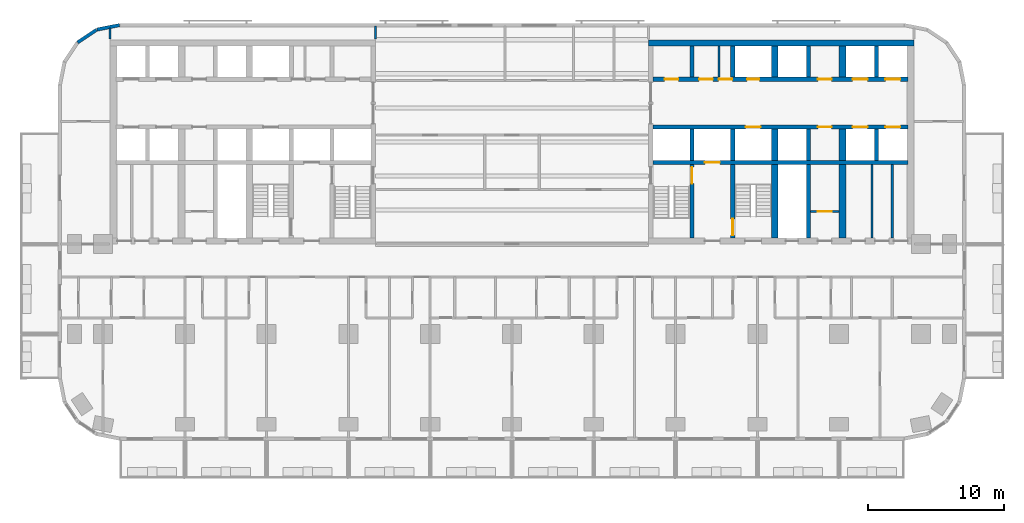
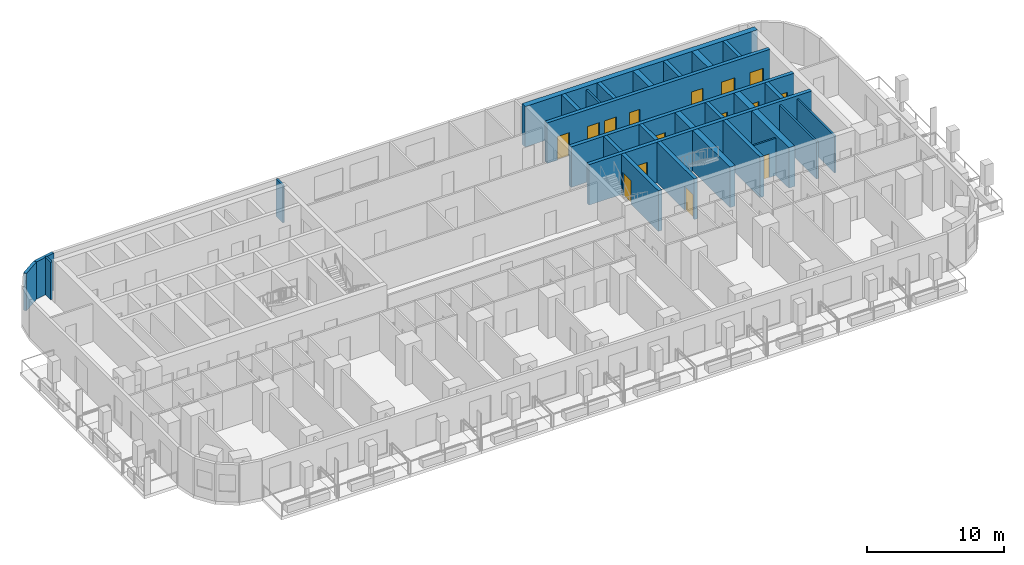
# One storey, part 8 of 15: 29 walls, 15 doors, 15 openings.
"""IFC4 building model written with IfcOpenShell, lengths in metres."""

from ifc_helpers import new_model, si_unit, direction, frame, frame_2d, origin, place, context, subcontext, project, spatial, rectangle, extrude, material, layer, layer_set, type_object, element, fill, save


model = new_model("IFC4")

# Units and contexts
model_context = context("Model", 3, precision=1e-05, world=origin(), true_north=direction((0.0, 1.0)))
body_context = subcontext(model_context, "Body", "Model", "MODEL_VIEW")
ifc_project = project(units=[si_unit("LENGTHUNIT", "METRE"), si_unit("AREAUNIT", "SQUARE_METRE"), si_unit("VOLUMEUNIT", "CUBIC_METRE"), si_unit("PLANEANGLEUNIT", "RADIAN"), si_unit("MASSUNIT", "GRAM", prefix="KILO")], contexts=[model_context])

# Site, building, storey
site_placement = place(None, origin())
site = spatial("IfcSite", under=ifc_project, at=site_placement, CompositionType="ELEMENT")
building_placement = place(site_placement, origin())
building = spatial("IfcBuilding", under=site, at=building_placement, Name="Torana Hotel and Residences", CompositionType="ELEMENT")
storey_placement = place(building_placement, frame((0.0, 0.0, 45.60009765625)))
storey = spatial("IfcBuildingStorey", under=building, at=storey_placement, Name="L10", CompositionType="ELEMENT", Elevation=45.60009765625)

# Wall, openings, doors
ifc_material_1 = material(Name="Concrete C80/95", Category="concrete")
ifc_layer_1 = layer(ifc_material_1, 0.300048828125)
ifc_layer_set_1 = layer_set([ifc_layer_1], Name="CORE WALL 300 C80/95")
wall_type_1 = type_object("IfcWallType", Name="CORE WALL 300 C80/95", PredefinedType="SHEAR", material=ifc_layer_set_1)
wall_1_placement = place(storey_placement, frame((10.35009765625, -2.89990234375, 0.0), z_axis=(0.0, 0.0, 1.0), x_axis=(1.0, 0.0, 0.0)))
wall_1 = element("IfcWall", 1, at=wall_1_placement, inside=storey, type_object=wall_type_1, Name="Core wall E row-N", PredefinedType="SHEAR", context=body_context, shape_type="SweptSolid", body=[
    extrude(rectangle(XDim=18.699951171875, YDim=0.300048828125, at=frame_2d((9.35009765625, 0.0))), origin(), (0.0, 0.0, 1.0), 3.599853515625),
])
opening_1_placement = place(wall_1_placement, frame((14.64990234375, 0.0, 0.0)))
opening_1 = element("IfcOpeningElement", 2, at=opening_1_placement, cuts=wall_1, Name="Opening LD", PredefinedType="OPENING", context=body_context, shape_type="SweptSolid", body=[
    extrude(rectangle(XDim=1.10009765625, YDim=2.10009765625, at=frame_2d((0.550048828125, 1.050048828125))), frame((0.0, 0.159912109375, 0.0), z_axis=(0.0, -1.0, 0.0), x_axis=(1.0, 0.0, 0.0)), (0.0, 0.0, 1.0), 0.320068359375),
])
opening_2_placement = place(wall_1_placement, frame((17.050048828125, 0.0, 0.0)))
opening_2 = element("IfcOpeningElement", 3, at=opening_2_placement, cuts=wall_1, Name="Opening LD", PredefinedType="OPENING", context=body_context, shape_type="SweptSolid", body=[
    extrude(rectangle(XDim=1.10009765625, YDim=2.10009765625, at=frame_2d((0.550048828125, 1.050048828125))), frame((0.0, 0.159912109375, 0.0), z_axis=(0.0, -1.0, 0.0), x_axis=(1.0, 0.0, 0.0)), (0.0, 0.0, 1.0), 0.320068359375),
])
opening_3_placement = place(wall_1_placement, frame((6.89990234375, 0.0, 0.0)))
opening_3 = element("IfcOpeningElement", 4, at=opening_3_placement, cuts=wall_1, Name="Opening L10-29", PredefinedType="OPENING", context=body_context, shape_type="SweptSolid", body=[
    extrude(rectangle(XDim=0.89990234375, YDim=2.10009765625, at=frame_2d((0.449951171875, 1.050048828125))), frame((0.0, 0.159912109375, 0.0), z_axis=(0.0, -1.0, 0.0), x_axis=(1.0, 0.0, 0.0)), (0.0, 0.0, 1.0), 0.320068359375),
])
opening_4_placement = place(wall_1_placement, frame((0.85009765625, 0.0, 0.0)))
opening_4 = element("IfcOpeningElement", 5, at=opening_4_placement, cuts=wall_1, Name="Opening L10-30", PredefinedType="OPENING", context=body_context, shape_type="SweptSolid", body=[
    extrude(rectangle(XDim=1.0, YDim=2.10009765625, at=frame_2d((0.5, 1.050048828125))), frame((0.0, 0.159912109375, 0.0), z_axis=(0.0, -1.0, 0.0), x_axis=(1.0, 0.0, 0.0)), (0.0, 0.0, 1.0), 0.320068359375),
])
opening_5_placement = place(wall_1_placement, frame((3.387451171875, 0.0, 0.0)))
opening_5 = element("IfcOpeningElement", 6, at=opening_5_placement, cuts=wall_1, Name="Opening L10-31", PredefinedType="OPENING", context=body_context, shape_type="SweptSolid", body=[
    extrude(rectangle(XDim=1.0, YDim=2.10009765625, at=frame_2d((0.5, 1.050048828125))), frame((0.0, 0.159912109375, 0.0), z_axis=(0.0, -1.0, 0.0), x_axis=(1.0, 0.0, 0.0)), (0.0, 0.0, 1.0), 0.320068359375),
])
opening_6_placement = place(wall_1_placement, frame((4.8125, 0.0, 0.0)))
opening_6 = element("IfcOpeningElement", 7, at=opening_6_placement, cuts=wall_1, Name="Opening L10-32", PredefinedType="OPENING", context=body_context, shape_type="SweptSolid", body=[
    extrude(rectangle(XDim=1.0, YDim=2.10009765625, at=frame_2d((0.5, 1.050048828125))), frame((0.0, 0.159912109375, 0.0), z_axis=(0.0, -1.0, 0.0), x_axis=(1.0, 0.0, 0.0)), (0.0, 0.0, 1.0), 0.320068359375),
])
opening_7_placement = place(wall_1_placement, frame((12.10009765625, 0.0, 0.0)))
opening_7 = element("IfcOpeningElement", 8, at=opening_7_placement, cuts=wall_1, Name="Opening L10-33", PredefinedType="OPENING", context=body_context, shape_type="SweptSolid", body=[
    extrude(rectangle(XDim=1.0, YDim=2.10009765625, at=frame_2d((0.5, 1.050048828125))), frame((0.0, 0.159912109375, 0.0), z_axis=(0.0, -1.0, 0.0), x_axis=(1.0, 0.0, 0.0)), (0.0, 0.0, 1.0), 0.320068359375),
])
ifc_material_2 = material(Name="Steel S235", Category="steel")
door_type_1 = type_object("IfcDoorType", Name="CORE ROOM FIRE DOOR D14 1000x2100", OperationType="SINGLE_SWING_LEFT", PredefinedType="DOOR", material=ifc_material_2)
door_1_placement = place(opening_4_placement, origin())
door_1 = element("IfcDoor", 9, at=door_1_placement, inside=storey, type_object=door_type_1, Name="N0 door L10", OperationType="SINGLE_SWING_RIGHT", OverallHeight=2.10009765625, OverallWidth=1.0, PredefinedType="DOOR", context=body_context, shape_type="SweptSolid", body=[
    extrude(rectangle(XDim=1.0, YDim=2.10009765625, at=frame_2d((0.5, 1.050048828125))), frame((0.0, 0.02490234375, 0.0), z_axis=(0.0, -1.0, 0.0), x_axis=(1.0, 0.0, 0.0)), (0.0, 0.0, 1.0), 0.050048828125),
])
fill(opening_4, door_1)
door_2_placement = place(opening_5_placement, origin())
door_2 = element("IfcDoor", 10, at=door_2_placement, inside=storey, type_object=door_type_1, Name="N1A door L10", OperationType="SINGLE_SWING_RIGHT", OverallHeight=2.10009765625, OverallWidth=1.0, PredefinedType="DOOR", context=body_context, shape_type="SweptSolid", body=[
    extrude(rectangle(XDim=1.0, YDim=2.10009765625, at=frame_2d((0.5, 1.050048828125))), frame((0.0, 0.02490234375, 0.0), z_axis=(0.0, -1.0, 0.0), x_axis=(1.0, 0.0, 0.0)), (0.0, 0.0, 1.0), 0.050048828125),
])
fill(opening_5, door_2)
door_3_placement = place(opening_6_placement, origin())
door_3 = element("IfcDoor", 11, at=door_3_placement, inside=storey, type_object=door_type_1, Name="N1B door L10", OperationType="SINGLE_SWING_LEFT", OverallHeight=2.10009765625, OverallWidth=1.0, PredefinedType="DOOR", context=body_context, shape_type="SweptSolid", body=[
    extrude(rectangle(XDim=1.0, YDim=2.10009765625, at=frame_2d((0.5, 1.050048828125))), frame((0.0, 0.02490234375, 0.0), z_axis=(0.0, -1.0, 0.0), x_axis=(1.0, 0.0, 0.0)), (0.0, 0.0, 1.0), 0.050048828125),
])
fill(opening_6, door_3)
door_4_placement = place(opening_7_placement, origin())
door_4 = element("IfcDoor", 12, at=door_4_placement, inside=storey, type_object=door_type_1, Name="Free-M3 door L10", OperationType="SINGLE_SWING_RIGHT", OverallHeight=2.10009765625, OverallWidth=1.0, PredefinedType="DOOR", context=body_context, shape_type="SweptSolid", body=[
    extrude(rectangle(XDim=1.0, YDim=2.10009765625, at=frame_2d((0.5, 1.050048828125))), frame((0.0, 0.02490234375, 0.0), z_axis=(0.0, -1.0, 0.0), x_axis=(1.0, 0.0, 0.0)), (0.0, 0.0, 1.0), 0.050048828125),
])
fill(opening_7, door_4)
ifc_material_3 = material(Name="Stainless steel 316", Category="steel")
door_type_2 = type_object("IfcDoorType", Name="LIFT LANDING DOOR LD 1100x2100", OperationType="DOUBLE_DOOR_SLIDING", PredefinedType="USERDEFINED", material=ifc_material_3)
door_5_placement = place(opening_1_placement, origin())
door_5 = element("IfcDoor", 13, at=door_5_placement, inside=storey, type_object=door_type_2, Name="Lift landing door L5 L10", ObjectType="LIFT LANDING DOOR", OperationType="DOUBLE_DOOR_SLIDING", OverallHeight=2.10009765625, OverallWidth=1.10009765625, PredefinedType="USERDEFINED", context=body_context, shape_type="SweptSolid", body=[
    extrude(rectangle(XDim=1.10009765625, YDim=2.10009765625, at=frame_2d((0.550048828125, 1.050048828125))), frame((0.0, 0.02490234375, 0.0), z_axis=(0.0, -1.0, 0.0), x_axis=(1.0, 0.0, 0.0)), (0.0, 0.0, 1.0), 0.050048828125),
])
fill(opening_1, door_5)
door_6_placement = place(opening_2_placement, origin())
door_6 = element("IfcDoor", 14, at=door_6_placement, inside=storey, type_object=door_type_2, Name="Lift landing door L6 L10", ObjectType="LIFT LANDING DOOR", OperationType="DOUBLE_DOOR_SLIDING", OverallHeight=2.10009765625, OverallWidth=1.10009765625, PredefinedType="USERDEFINED", context=body_context, shape_type="SweptSolid", body=[
    extrude(rectangle(XDim=1.10009765625, YDim=2.10009765625, at=frame_2d((0.550048828125, 1.050048828125))), frame((0.0, 0.02490234375, 0.0), z_axis=(0.0, -1.0, 0.0), x_axis=(1.0, 0.0, 0.0)), (0.0, 0.0, 1.0), 0.050048828125),
])
fill(opening_2, door_6)
ifc_material_4 = material(Name="Steel S235", Category="steel")
door_type_3 = type_object("IfcDoorType", Name="RISER ACCESS DOOR D5 900x2100", OperationType="SINGLE_SWING_LEFT", PredefinedType="DOOR", material=ifc_material_4)
door_7_placement = place(opening_3_placement, origin())
door_7 = element("IfcDoor", 15, at=door_7_placement, inside=storey, type_object=door_type_3, Name="N2 door L10", OperationType="SINGLE_SWING_RIGHT", OverallHeight=2.10009765625, OverallWidth=0.89990234375, PredefinedType="DOOR", context=body_context, shape_type="SweptSolid", body=[
    extrude(rectangle(XDim=0.89990234375, YDim=2.10009765625, at=frame_2d((0.449951171875, 1.050048828125))), frame((0.0, 0.02490234375, 0.0), z_axis=(0.0, -1.0, 0.0), x_axis=(1.0, 0.0, 0.0)), (0.0, 0.0, 1.0), 0.050048828125),
])
fill(opening_3, door_7)

wall_2_placement = place(storey_placement, frame((10.35009765625, -6.39990234375, 0.0), z_axis=(0.0, 0.0, 1.0), x_axis=(1.0, 0.0, 0.0)))
wall_2 = element("IfcWall", 16, at=wall_2_placement, inside=storey, type_object=wall_type_1, Name="Core wall E row-S", PredefinedType="SHEAR", context=body_context, shape_type="SweptSolid", body=[
    extrude(rectangle(XDim=18.699951171875, YDim=0.300048828125, at=frame_2d((9.35009765625, 0.0))), origin(), (0.0, 0.0, 1.0), 3.599853515625),
])
opening_8_placement = place(wall_2_placement, frame((14.64990234375, 0.0, 0.0)))
opening_8 = element("IfcOpeningElement", 17, at=opening_8_placement, cuts=wall_2, Name="Opening LD", PredefinedType="OPENING", context=body_context, shape_type="SweptSolid", body=[
    extrude(rectangle(XDim=1.10009765625, YDim=2.10009765625, at=frame_2d((0.550048828125, 1.050048828125))), frame((0.0, 0.159912109375, 0.0), z_axis=(0.0, -1.0, 0.0), x_axis=(1.0, 0.0, 0.0)), (0.0, 0.0, 1.0), 0.320068359375),
])
opening_9_placement = place(wall_2_placement, frame((17.050048828125, 0.0, 0.0)))
opening_9 = element("IfcOpeningElement", 18, at=opening_9_placement, cuts=wall_2, Name="Opening LD", PredefinedType="OPENING", context=body_context, shape_type="SweptSolid", body=[
    extrude(rectangle(XDim=1.10009765625, YDim=2.10009765625, at=frame_2d((0.550048828125, 1.050048828125))), frame((0.0, 0.159912109375, 0.0), z_axis=(0.0, -1.0, 0.0), x_axis=(1.0, 0.0, 0.0)), (0.0, 0.0, 1.0), 0.320068359375),
])
opening_10_placement = place(wall_2_placement, frame((6.800048828125, 0.0, 0.0)))
opening_10 = element("IfcOpeningElement", 19, at=opening_10_placement, cuts=wall_2, Name="Opening LD", PredefinedType="OPENING", context=body_context, shape_type="SweptSolid", body=[
    extrude(rectangle(XDim=1.10009765625, YDim=2.10009765625, at=frame_2d((0.550048828125, 1.050048828125))), frame((0.0, 0.159912109375, 0.0), z_axis=(0.0, -1.0, 0.0), x_axis=(1.0, 0.0, 0.0)), (0.0, 0.0, 1.0), 0.320068359375),
])
opening_11_placement = place(wall_2_placement, frame((12.10009765625, 0.0, 0.0)))
opening_11 = element("IfcOpeningElement", 20, at=opening_11_placement, cuts=wall_2, Name="Opening L10-34", PredefinedType="OPENING", context=body_context, shape_type="SweptSolid", body=[
    extrude(rectangle(XDim=1.0, YDim=2.10009765625, at=frame_2d((0.5, 1.050048828125))), frame((0.0, 0.159912109375, 0.0), z_axis=(0.0, -1.0, 0.0), x_axis=(1.0, 0.0, 0.0)), (0.0, 0.0, 1.0), 0.320068359375),
])
door_8_placement = place(opening_11_placement, frame((0.5, 0.0, 0.0), z_axis=(0.0, 0.0, 1.0), x_axis=(-1.0, 0.0, 0.0)))
door_8 = element("IfcDoor", 21, at=door_8_placement, inside=storey, type_object=door_type_1, Name="Free-M4 door L10", OperationType="SINGLE_SWING_LEFT", OverallHeight=2.10009765625, OverallWidth=1.0, PredefinedType="DOOR", context=body_context, shape_type="SweptSolid", body=[
    extrude(rectangle(XDim=1.0, YDim=2.10009765625, at=frame_2d((0.0, 1.050048828125))), frame((0.0, -0.02490234375, 0.0), z_axis=(0.0, 1.0, 0.0), x_axis=(-1.0, 0.0, 0.0)), (0.0, 0.0, 1.0), 0.050048828125),
])
fill(opening_11, door_8)
door_9_placement = place(opening_8_placement, origin())
door_9 = element("IfcDoor", 22, at=door_9_placement, inside=storey, type_object=door_type_2, Name="Lift landing door L7 L10", ObjectType="LIFT LANDING DOOR", OperationType="DOUBLE_DOOR_SLIDING", OverallHeight=2.10009765625, OverallWidth=1.10009765625, PredefinedType="USERDEFINED", context=body_context, shape_type="SweptSolid", body=[
    extrude(rectangle(XDim=1.10009765625, YDim=2.10009765625, at=frame_2d((0.550048828125, 1.050048828125))), frame((0.0, 0.02490234375, 0.0), z_axis=(0.0, -1.0, 0.0), x_axis=(1.0, 0.0, 0.0)), (0.0, 0.0, 1.0), 0.050048828125),
])
fill(opening_8, door_9)
door_10_placement = place(opening_9_placement, origin())
door_10 = element("IfcDoor", 23, at=door_10_placement, inside=storey, type_object=door_type_2, Name="Lift landing door L8 L10", ObjectType="LIFT LANDING DOOR", OperationType="DOUBLE_DOOR_SLIDING", OverallHeight=2.10009765625, OverallWidth=1.10009765625, PredefinedType="USERDEFINED", context=body_context, shape_type="SweptSolid", body=[
    extrude(rectangle(XDim=1.10009765625, YDim=2.10009765625, at=frame_2d((0.550048828125, 1.050048828125))), frame((0.0, 0.02490234375, 0.0), z_axis=(0.0, -1.0, 0.0), x_axis=(1.0, 0.0, 0.0)), (0.0, 0.0, 1.0), 0.050048828125),
])
fill(opening_9, door_10)
door_11_placement = place(opening_10_placement, origin())
door_11 = element("IfcDoor", 24, at=door_11_placement, inside=storey, type_object=door_type_2, Name="Lift landing door SV2 L10", ObjectType="LIFT LANDING DOOR", OperationType="DOUBLE_DOOR_SLIDING", OverallHeight=2.10009765625, OverallWidth=1.10009765625, PredefinedType="USERDEFINED", context=body_context, shape_type="SweptSolid", body=[
    extrude(rectangle(XDim=1.10009765625, YDim=2.10009765625, at=frame_2d((0.550048828125, 1.050048828125))), frame((0.0, 0.02490234375, 0.0), z_axis=(0.0, -1.0, 0.0), x_axis=(1.0, 0.0, 0.0)), (0.0, 0.0, 1.0), 0.050048828125),
])
fill(opening_10, door_11)

# Wall, opening, door
wall_3_placement = place(storey_placement, frame((10.35009765625, -9.0, 0.0), z_axis=(0.0, 0.0, 1.0), x_axis=(1.0, 0.0, 0.0)))
wall_3 = element("IfcWall", 25, at=wall_3_placement, inside=storey, type_object=wall_type_1, Name="Core wall E band", PredefinedType="SHEAR", context=body_context, shape_type="SweptSolid", body=[
    extrude(rectangle(XDim=18.699951171875, YDim=0.300048828125, at=frame_2d((9.35009765625, 0.0))), origin(), (0.0, 0.0, 1.0), 3.599853515625),
])
opening_12_placement = place(wall_3_placement, frame((3.800048828125, 0.0, 0.0)))
opening_12 = element("IfcOpeningElement", 26, at=opening_12_placement, cuts=wall_3, Name="Opening LD", PredefinedType="OPENING", context=body_context, shape_type="SweptSolid", body=[
    extrude(rectangle(XDim=1.10009765625, YDim=2.10009765625, at=frame_2d((0.550048828125, 1.050048828125))), frame((0.0, 0.159912109375, 0.0), z_axis=(0.0, -1.0, 0.0), x_axis=(1.0, 0.0, 0.0)), (0.0, 0.0, 1.0), 0.320068359375),
])
door_12_placement = place(opening_12_placement, origin())
door_12 = element("IfcDoor", 27, at=door_12_placement, inside=storey, type_object=door_type_2, Name="Lift landing door FF2 L10", ObjectType="LIFT LANDING DOOR", OperationType="DOUBLE_DOOR_SLIDING", OverallHeight=2.10009765625, OverallWidth=1.10009765625, PredefinedType="USERDEFINED", context=body_context, shape_type="SweptSolid", body=[
    extrude(rectangle(XDim=1.10009765625, YDim=2.10009765625, at=frame_2d((0.550048828125, 1.050048828125))), frame((0.0, 0.02490234375, 0.0), z_axis=(0.0, -1.0, 0.0), x_axis=(1.0, 0.0, 0.0)), (0.0, 0.0, 1.0), 0.050048828125),
])
fill(opening_12, door_12)

# Walls
for number, where, z_axis, x_axis, name in (
    (28, (13.199951171875, -2.75, 0.0), (0.0, 0.0, 1.0), (0.0, 1.0, 0.0), "Core wall E x3.05-N"),
    (29, (13.199951171875, -8.85009765625, 0.0), (0.0, 0.0, 1.0), (0.0, 1.0, 0.0), "Core wall E x3.05-S"),
):
    element("IfcWall", number, at=place(storey_placement, frame(where, z_axis=z_axis, x_axis=x_axis)), inside=storey, type_object=wall_type_1, Name=name, PredefinedType="SHEAR", context=body_context, shape_type="SweptSolid", body=[
        extrude(rectangle(XDim=2.300048828125, YDim=0.300048828125, at=frame_2d((1.14990234375, 0.0))), origin(), (0.0, 0.0, 1.0), 3.599853515625),
    ])

# Wall, opening, door
wall_4_placement = place(storey_placement, frame((13.199951171875, -14.550048828125, 0.0), z_axis=(0.0, 0.0, 1.0), x_axis=(0.0, 1.0, 0.0)))
wall_4 = element("IfcWall", 30, at=wall_4_placement, inside=storey, type_object=wall_type_1, Name="Core wall E x3.05-band", PredefinedType="SHEAR", context=body_context, shape_type="SweptSolid", body=[
    extrude(rectangle(XDim=5.400146484375, YDim=0.300048828125, at=frame_2d((2.7001953125, 0.0))), origin(), (0.0, 0.0, 1.0), 3.599853515625),
])
opening_13_placement = place(wall_4_placement, frame((4.0, 0.0, 0.0)))
opening_13 = element("IfcOpeningElement", 31, at=opening_13_placement, cuts=wall_4, Name="Opening L10-35", PredefinedType="OPENING", context=body_context, shape_type="SweptSolid", body=[
    extrude(rectangle(XDim=1.199951171875, YDim=2.10009765625, at=frame_2d((0.60009765625, 1.050048828125))), frame((0.0, 0.159912109375, 0.0), z_axis=(0.0, -1.0, 0.0), x_axis=(1.0, 0.0, 0.0)), (0.0, 0.0, 1.0), 0.320068359375),
])
ifc_material_5 = material(Name="Steel S235", Category="steel")
door_type_4 = type_object("IfcDoorType", Name="STAIR FIRE DOOR D3 1200x2100", OperationType="SINGLE_SWING_LEFT", PredefinedType="DOOR", material=ifc_material_5)
door_13_placement = place(opening_13_placement, origin())
door_13 = element("IfcDoor", 32, at=door_13_placement, inside=storey, type_object=door_type_4, Name="Stair-A-lobby door L10", OperationType="SINGLE_SWING_LEFT", OverallHeight=2.10009765625, OverallWidth=1.199951171875, PredefinedType="DOOR", context=body_context, shape_type="SweptSolid", body=[
    extrude(rectangle(XDim=1.199951171875, YDim=2.10009765625, at=frame_2d((0.60009765625, 1.050048828125))), frame((0.0, 0.02490234375, 0.0), z_axis=(0.0, -1.0, 0.0), x_axis=(1.0, 0.0, 0.0)), (0.0, 0.0, 1.0), 0.050048828125),
])
fill(opening_13, door_13)

# Walls
for number, where, z_axis, x_axis, name in (
    (33, (16.199951171875, -2.75, 0.0), (0.0, 0.0, 1.0), (0.0, 1.0, 0.0), "Core wall E x6.05-N"),
    (34, (16.199951171875, -8.85009765625, 0.0), (0.0, 0.0, 1.0), (0.0, 1.0, 0.0), "Core wall E x6.05-S"),
):
    element("IfcWall", number, at=place(storey_placement, frame(where, z_axis=z_axis, x_axis=x_axis)), inside=storey, type_object=wall_type_1, Name=name, PredefinedType="SHEAR", context=body_context, shape_type="SweptSolid", body=[
        extrude(rectangle(XDim=2.300048828125, YDim=0.300048828125, at=frame_2d((1.14990234375, 0.0))), origin(), (0.0, 0.0, 1.0), 3.599853515625),
    ])

# Wall, opening, door
wall_5_placement = place(storey_placement, frame((16.199951171875, -14.550048828125, 0.0), z_axis=(0.0, 0.0, 1.0), x_axis=(0.0, 1.0, 0.0)))
wall_5 = element("IfcWall", 35, at=wall_5_placement, inside=storey, type_object=wall_type_1, Name="Core wall E x6.05-band", PredefinedType="SHEAR", context=body_context, shape_type="SweptSolid", body=[
    extrude(rectangle(XDim=5.400146484375, YDim=0.300048828125, at=frame_2d((2.7001953125, 0.0))), origin(), (0.0, 0.0, 1.0), 3.599853515625),
])
opening_14_placement = place(wall_5_placement, frame((0.199951171875, 0.0, 0.0)))
opening_14 = element("IfcOpeningElement", 36, at=opening_14_placement, cuts=wall_5, Name="Opening L10-36", PredefinedType="OPENING", context=body_context, shape_type="SweptSolid", body=[
    extrude(rectangle(XDim=1.199951171875, YDim=2.10009765625, at=frame_2d((0.60009765625, 1.050048828125))), frame((0.0, 0.159912109375, 0.0), z_axis=(0.0, -1.0, 0.0), x_axis=(1.0, 0.0, 0.0)), (0.0, 0.0, 1.0), 0.320068359375),
])
door_14_placement = place(opening_14_placement, frame((0.60009765625, 0.0, 0.0), z_axis=(0.0, 0.0, 1.0), x_axis=(-1.0, 0.0, 0.0)))
door_14 = element("IfcDoor", 37, at=door_14_placement, inside=storey, type_object=door_type_4, Name="Stair-B-lobby door L10", OperationType="SINGLE_SWING_LEFT", OverallHeight=2.10009765625, OverallWidth=1.199951171875, PredefinedType="DOOR", context=body_context, shape_type="SweptSolid", body=[
    extrude(rectangle(XDim=1.199951171875, YDim=2.10009765625, at=frame_2d((0.0, 1.050048828125))), frame((0.0, -0.02490234375, 0.0), z_axis=(0.0, 1.0, 0.0), x_axis=(-1.0, 0.0, 0.0)), (0.0, 0.0, 1.0), 0.050048828125),
])
fill(opening_14, door_14)

# Walls
for number, where, z_axis, x_axis, name in (
    (38, (21.75, -2.75, 0.0), (0.0, 0.0, 1.0), (0.0, 1.0, 0.0), "Core wall E mm-N"),
    (39, (21.75, -8.85009765625, 0.0), (0.0, 0.0, 1.0), (0.0, 1.0, 0.0), "Core wall E mm-S"),
):
    element("IfcWall", number, at=place(storey_placement, frame(where, z_axis=z_axis, x_axis=x_axis)), inside=storey, type_object=wall_type_1, Name=name, PredefinedType="SHEAR", context=body_context, shape_type="SweptSolid", body=[
        extrude(rectangle(XDim=2.300048828125, YDim=0.300048828125, at=frame_2d((1.14990234375, 0.0))), origin(), (0.0, 0.0, 1.0), 3.599853515625),
    ])
wall_6_placement = place(storey_placement, frame((21.75, -14.550048828125, 0.0), z_axis=(0.0, 0.0, 1.0), x_axis=(0.0, 1.0, 0.0)))
element("IfcWall", 40, at=wall_6_placement, inside=storey, type_object=wall_type_1, Name="Core wall E mm-band", PredefinedType="SHEAR", context=body_context, shape_type="SweptSolid", body=[
    extrude(rectangle(XDim=5.400146484375, YDim=0.300048828125, at=frame_2d((2.7001953125, 0.0))), origin(), (0.0, 0.0, 1.0), 3.599853515625),
])
for number, where, z_axis, x_axis, name in (
    (41, (26.75, -2.75, 0.0), (0.0, 0.0, 1.0), (0.0, 1.0, 0.0), "Core wall E ll-N"),
    (42, (26.75, -8.85009765625, 0.0), (0.0, 0.0, 1.0), (0.0, 1.0, 0.0), "Core wall E ll-S"),
):
    element("IfcWall", number, at=place(storey_placement, frame(where, z_axis=z_axis, x_axis=x_axis)), inside=storey, type_object=wall_type_1, Name=name, PredefinedType="SHEAR", context=body_context, shape_type="SweptSolid", body=[
        extrude(rectangle(XDim=2.300048828125, YDim=0.300048828125, at=frame_2d((1.14990234375, 0.0))), origin(), (0.0, 0.0, 1.0), 3.599853515625),
    ])
ifc_material_6 = material(Name="Concrete C80/95", Category="concrete")
ifc_layer_2 = layer(ifc_material_6, 0.449951171875)
ifc_layer_set_2 = layer_set([ifc_layer_2], Name="CORE WALL 450 C80/95")
wall_type_2 = type_object("IfcWallType", Name="CORE WALL 450 C80/95", PredefinedType="SHEAR", material=ifc_layer_set_2)
wall_7_placement = place(storey_placement, frame((10.0, -0.22509765625, 0.0), z_axis=(0.0, 0.0, 1.0), x_axis=(1.0, 0.0, 0.0)))
element("IfcWall", 43, at=wall_7_placement, inside=storey, type_object=wall_type_2, Name="Core wall E rear", PredefinedType="SHEAR", context=body_context, shape_type="SweptSolid", body=[
    extrude(rectangle(XDim=19.5, YDim=0.449951171875, at=frame_2d((9.75, 0.0))), origin(), (0.0, 0.0, 1.0), 3.599853515625),
])
for number, where, z_axis, x_axis, name in (
    (44, (19.27490234375, -2.75, 0.0), (0.0, 0.0, 1.0), (0.0, 1.0, 0.0), "Core wall E hm-N"),
    (45, (19.27490234375, -8.85009765625, 0.0), (0.0, 0.0, 1.0), (0.0, 1.0, 0.0), "Core wall E hm-S"),
):
    element("IfcWall", number, at=place(storey_placement, frame(where, z_axis=z_axis, x_axis=x_axis)), inside=storey, type_object=wall_type_2, Name=name, PredefinedType="SHEAR", context=body_context, shape_type="SweptSolid", body=[
        extrude(rectangle(XDim=2.300048828125, YDim=0.449951171875, at=frame_2d((1.14990234375, 0.0))), origin(), (0.0, 0.0, 1.0), 3.599853515625),
    ])
wall_8_placement = place(storey_placement, frame((19.27490234375, -14.550048828125, 0.0), z_axis=(0.0, 0.0, 1.0), x_axis=(0.0, 1.0, 0.0)))
element("IfcWall", 46, at=wall_8_placement, inside=storey, type_object=wall_type_2, Name="Core wall E hm-band", PredefinedType="SHEAR", context=body_context, shape_type="SweptSolid", body=[
    extrude(rectangle(XDim=5.400146484375, YDim=0.449951171875, at=frame_2d((2.7001953125, 0.0))), origin(), (0.0, 0.0, 1.0), 3.599853515625),
])
ifc_material_7 = material(Name="Concrete C80/95", Category="concrete")
ifc_layer_3 = layer(ifc_material_7, 0.5)
ifc_layer_set_3 = layer_set([ifc_layer_3], Name="CORE WALL 500 C80/95")
wall_type_3 = type_object("IfcWallType", Name="CORE WALL 500 C80/95", PredefinedType="SHEAR", material=ifc_layer_set_3)
for number, where, z_axis, x_axis, name in (
    (47, (24.25, -2.75, 0.0), (0.0, 0.0, 1.0), (0.0, 1.0, 0.0), "Core wall E ml-N"),
    (48, (24.25, -8.85009765625, 0.0), (0.0, 0.0, 1.0), (0.0, 1.0, 0.0), "Core wall E ml-S"),
):
    element("IfcWall", number, at=place(storey_placement, frame(where, z_axis=z_axis, x_axis=x_axis)), inside=storey, type_object=wall_type_3, Name=name, PredefinedType="SHEAR", context=body_context, shape_type="SweptSolid", body=[
        extrude(rectangle(XDim=2.300048828125, YDim=0.5, at=frame_2d((1.14990234375, 0.0))), origin(), (0.0, 0.0, 1.0), 3.599853515625),
    ])
wall_9_placement = place(storey_placement, frame((24.25, -14.550048828125, 0.0), z_axis=(0.0, 0.0, 1.0), x_axis=(0.0, 1.0, 0.0)))
element("IfcWall", 49, at=wall_9_placement, inside=storey, type_object=wall_type_3, Name="Core wall E ml-band", PredefinedType="SHEAR", context=body_context, shape_type="SweptSolid", body=[
    extrude(rectangle(XDim=5.400146484375, YDim=0.5, at=frame_2d((2.7001953125, 0.0))), origin(), (0.0, 0.0, 1.0), 3.599853515625),
])
ifc_material_8 = material(Name="Black aluminium composite panel", Category="aluminium")
ifc_layer_4 = layer(ifc_material_8, 0.00390625, Name="Cladding", Category="cladding")
ifc_material_9 = material(Name="Ventilated air cavity")
ifc_layer_5 = layer(ifc_material_9, 0.0400390625, Name="Ventilated cavity", Category="cavity")
ifc_material_10 = material(Name="Mineral wool insulation")
ifc_layer_6 = layer(ifc_material_10, 0.090087890625, Name="Insulation", Category="insulation")
ifc_material_11 = material(Name="Steel S280GD", Category="steel")
ifc_layer_7 = layer(ifc_material_11, 0.092041015625, Name="Steel stud frame", Category="structure")
ifc_material_12 = material(Name="Fire rated plasterboard")
ifc_layer_8 = layer(ifc_material_12, 0.011962890625, Name="Inner board", Category="finish")
ifc_layer_9 = layer(ifc_material_12, 0.011962890625, Name="Second board", Category="finish")
ifc_layer_set_4 = layer_set([ifc_layer_4, ifc_layer_5, ifc_layer_6, ifc_layer_7, ifc_layer_8, ifc_layer_9], Name="EW1 EXTERNAL WALL BLACK METAL CLAD 250")
wall_type_4 = type_object("IfcWallType", Name="EW1 EXTERNAL WALL BLACK METAL CLAD 250", PredefinedType="SOLIDWALL", material=ifc_layer_set_4)
wall_10_placement = place(storey_placement, frame((-28.7998046875, 1.072509765625, 0.0), z_axis=(0.0, 0.0, 1.0), x_axis=(-0.980803419081, -0.194999110559, 0.0)))
element("IfcWall", 50, at=wall_10_placement, inside=storey, type_object=wall_type_4, Name="External wall L10 e0.5", PredefinedType="SOLIDWALL", context=body_context, shape_type="SweptSolid", body=[
    extrude(rectangle(XDim=1.681396484375, YDim=0.25, at=frame_2d((0.8408203125, 0.0))), origin(), (0.0, 0.0, 1.0), 3.31982421875),
])
wall_11_placement = place(storey_placement, frame((-30.493896484375, 0.725830078125, 0.0), z_axis=(0.0, 0.0, 1.0), x_axis=(-0.831482937015, -0.55555029066, 0.0)))
element("IfcWall", 51, at=wall_11_placement, inside=storey, type_object=wall_type_4, Name="External wall L10 e0.6", PredefinedType="SOLIDWALL", context=body_context, shape_type="SweptSolid", body=[
    extrude(rectangle(XDim=1.65625, YDim=0.25, at=frame_2d((0.828125, 0.0))), origin(), (0.0, 0.0, 1.0), 3.31982421875),
])
ifc_material_13 = material(Name="Gypsum plaster")
ifc_layer_10 = layer(ifc_material_13, 0.014892578125, Name="Plaster", Category="finish")
ifc_material_14 = material(Name="Concrete blockwork", Category="masonry")
ifc_layer_11 = layer(ifc_material_14, 0.1201171875, Name="Blockwork", Category="structure")
ifc_layer_12 = layer(ifc_material_13, 0.014892578125, Name="Plaster", Category="finish")
ifc_layer_set_5 = layer_set([ifc_layer_10, ifc_layer_11, ifc_layer_12], Name="FIRE PARTITION 150 BLOCKWORK")
wall_type_5 = type_object("IfcWallType", Name="FIRE PARTITION 150 BLOCKWORK", PredefinedType="PARTITIONING", material=ifc_layer_set_5)
wall_12_placement = place(storey_placement, frame((15.199951171875, -2.75, 0.0), z_axis=(0.0, 0.0, 1.0), x_axis=(0.0, 1.0, 0.0)))
element("IfcWall", 52, at=wall_12_placement, inside=storey, type_object=wall_type_5, Name="Core partition L10", PredefinedType="PARTITIONING", context=body_context, shape_type="SweptSolid", body=[
    extrude(rectangle(XDim=2.300048828125, YDim=0.14990234375, at=frame_2d((1.14990234375, 0.0))), origin(), (0.0, 0.0, 1.0), 3.2998046875),
])

# Wall, opening, door
wall_13_placement = place(storey_placement, frame((21.89990234375, -12.60009765625, 0.0), z_axis=(0.0, 0.0, 1.0), x_axis=(1.0, 0.0, 0.0)))
wall_13 = element("IfcWall", 53, at=wall_13_placement, inside=storey, type_object=wall_type_5, Name="Core partition L10", PredefinedType="PARTITIONING", context=body_context, shape_type="SweptSolid", body=[
    extrude(rectangle(XDim=2.10009765625, YDim=0.14990234375, at=frame_2d((1.050048828125, 0.0))), origin(), (0.0, 0.0, 1.0), 3.2998046875),
])
opening_15_placement = place(wall_13_placement, frame((0.550048828125, 0.0, 0.0)))
opening_15 = element("IfcOpeningElement", 54, at=opening_15_placement, cuts=wall_13, Name="Opening L10-38", PredefinedType="OPENING", context=body_context, shape_type="SweptSolid", body=[
    extrude(rectangle(XDim=1.0, YDim=2.10009765625, at=frame_2d((0.5, 1.050048828125))), frame((0.0, 0.0849609375, 0.0), z_axis=(0.0, -1.0, 0.0), x_axis=(1.0, 0.0, 0.0)), (0.0, 0.0, 1.0), 0.169921875),
])
door_15_placement = place(opening_15_placement, origin())
door_15 = element("IfcDoor", 55, at=door_15_placement, inside=storey, type_object=door_type_1, Name="Plant room door L10", OperationType="SINGLE_SWING_RIGHT", OverallHeight=2.10009765625, OverallWidth=1.0, PredefinedType="DOOR", context=body_context, shape_type="SweptSolid", body=[
    extrude(rectangle(XDim=1.0, YDim=2.10009765625, at=frame_2d((0.5, 1.050048828125))), frame((0.0, 0.02490234375, 0.0), z_axis=(0.0, -1.0, 0.0), x_axis=(1.0, 0.0, 0.0)), (0.0, 0.0, 1.0), 0.050048828125),
])
fill(opening_15, door_15)

# Walls
for number, where, z_axis, x_axis, name in (
    (56, (26.39990234375, -14.550048828125, 0.0), (0.0, 0.0, 1.0), (0.0, 1.0, 0.0), "Core partition L10"),
    (57, (27.89990234375, -14.550048828125, 0.0), (0.0, 0.0, 1.0), (0.0, 1.0, 0.0), "Core partition L10"),
):
    element("IfcWall", number, at=place(storey_placement, frame(where, z_axis=z_axis, x_axis=x_axis)), inside=storey, type_object=wall_type_5, Name=name, PredefinedType="PARTITIONING", context=body_context, shape_type="SweptSolid", body=[
        extrude(rectangle(XDim=5.400146484375, YDim=0.14990234375, at=frame_2d((2.7001953125, 0.0))), origin(), (0.0, 0.0, 1.0), 3.2998046875),
    ])
ifc_material_15 = material(Name="Gypsum plasterboard")
ifc_layer_13 = layer(ifc_material_15, 0.012451171875, Name="Plasterboard", Category="finish")
ifc_layer_14 = layer(ifc_material_15, 0.012451171875, Name="Plasterboard", Category="finish")
ifc_layer_15 = layer(ifc_material_11, 0.10009765625, Name="Steel studs with mineral wool", Category="insulation")
ifc_layer_16 = layer(ifc_material_15, 0.012451171875, Name="Plasterboard", Category="finish")
ifc_layer_17 = layer(ifc_material_15, 0.012451171875, Name="Plasterboard", Category="finish")
ifc_layer_set_6 = layer_set([ifc_layer_13, ifc_layer_14, ifc_layer_15, ifc_layer_16, ifc_layer_17], Name="PARTITION 150 PLASTERBOARD")
wall_type_6 = type_object("IfcWallType", Name="PARTITION 150 PLASTERBOARD", PredefinedType="PARTITIONING", material=ifc_layer_set_6)
wall_14_placement = place(storey_placement, frame((-10.0, 0.050048828125, 0.0), z_axis=(0.0, 0.0, 1.0), x_axis=(0.0, 1.0, 0.0)))
element("IfcWall", 58, at=wall_14_placement, inside=storey, type_object=wall_type_6, Name="Partition L10", PredefinedType="PARTITIONING", context=body_context, shape_type="SweptSolid", body=[
    extrude(rectangle(XDim=0.969970703125, YDim=0.14990234375, at=frame_2d((0.48486328125, 0.0))), origin(), (0.0, 0.0, 1.0), 3.31982421875),
])
wall_15_placement = place(storey_placement, frame((-29.5, 0.050048828125, 0.0), z_axis=(0.0, 0.0, 1.0), x_axis=(0.0, 1.0, 0.0)))
element("IfcWall", 59, at=wall_15_placement, inside=storey, type_object=wall_type_6, Name="Partition L10", PredefinedType="PARTITIONING", context=body_context, shape_type="SweptSolid", body=[
    extrude(rectangle(XDim=0.8271484375, YDim=0.14990234375, at=frame_2d((0.41357421875, 0.0))), origin(), (0.0, 0.0, 1.0), 3.31982421875),
])

save(model, "model.ifc")
